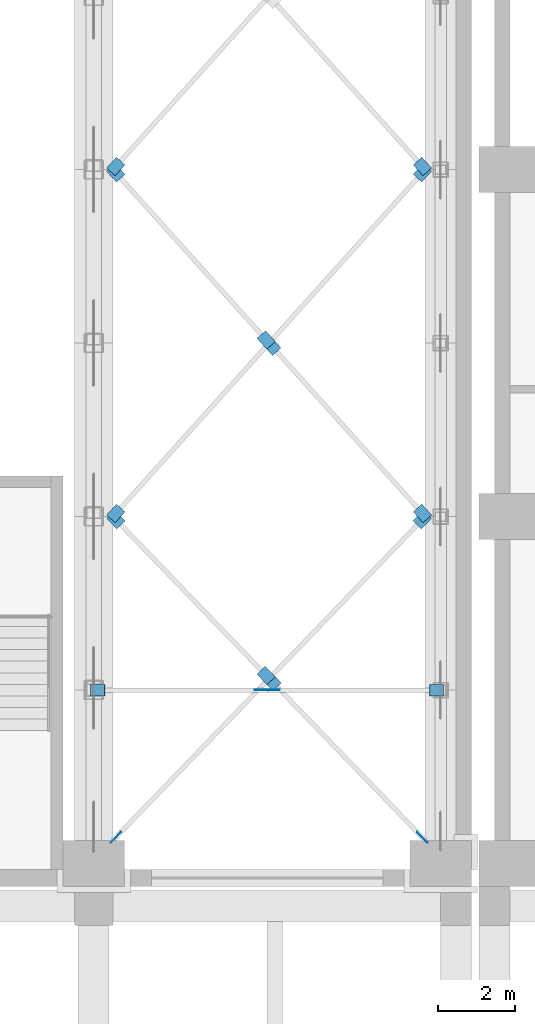
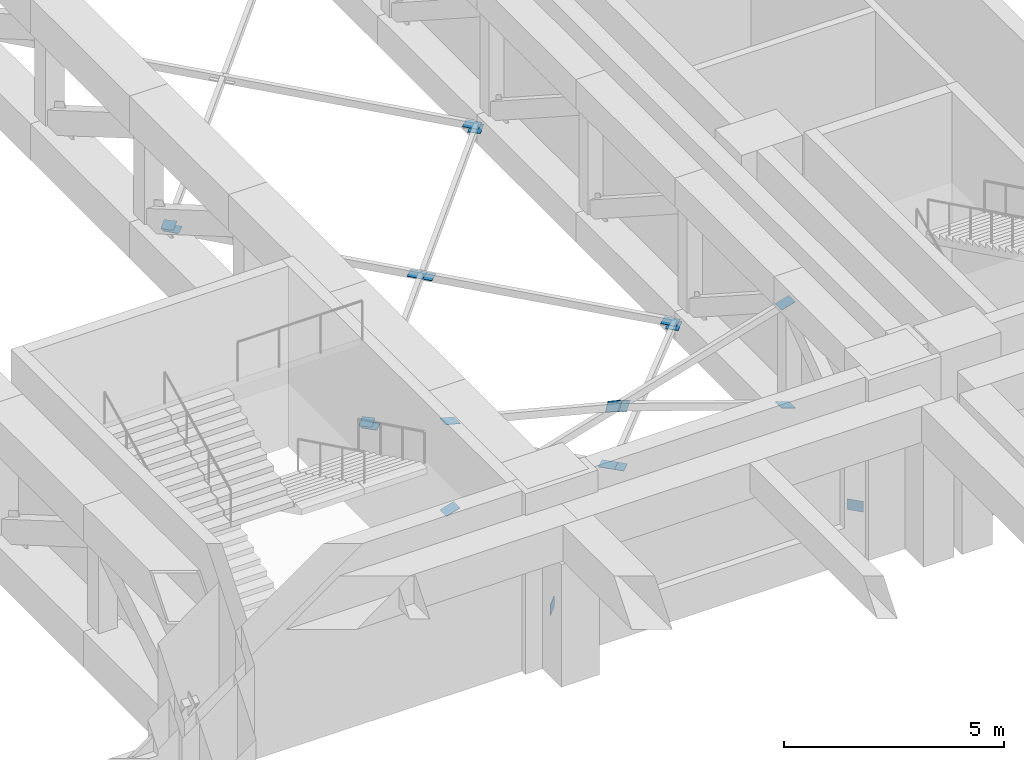
# One storey, part 61 of 76: 20 discrete accessories.
"""IFC4 building model written with IfcOpenShell, lengths in metres."""

from ifc_helpers import new_model, si_unit, direction, frame, origin, place, context, subcontext, project, spatial, polyline, outline, extrude, material, layer, layer_set, type_object, element, save


model = new_model("IFC4")

# Units and contexts
model_context = context("Model", 3, precision=1e-05, world=origin(), true_north=direction((0.0, 1.0)))
body_context = subcontext(model_context, "Body", "Model", "MODEL_VIEW")
ifc_project = project(units=[si_unit("LENGTHUNIT", "METRE"), si_unit("AREAUNIT", "SQUARE_METRE"), si_unit("VOLUMEUNIT", "CUBIC_METRE"), si_unit("PLANEANGLEUNIT", "RADIAN"), si_unit("MASSUNIT", "GRAM", prefix="KILO")], contexts=[model_context])

# Site, building, storey
site_placement = place(None, origin())
site = spatial("IfcSite", under=ifc_project, at=site_placement, CompositionType="ELEMENT")
building_placement = place(site_placement, origin())
building = spatial("IfcBuilding", under=site, at=building_placement, Name="Aravalli Gate Trade Fair Centre", CompositionType="ELEMENT")
storey_placement = place(building_placement, frame((0.0, 0.0, 10.0)))
storey = spatial("IfcBuildingStorey", under=building, at=storey_placement, Name="L02", CompositionType="ELEMENT", Elevation=10.0)

# Discrete accessories
ifc_material = material(Name="Steel E350", Category="steel")
ifc_layer = layer(ifc_material, 0.011962890625)
ifc_layer_set = layer_set([ifc_layer], Name="Steel E350")
discrete_accessory_type = type_object("IfcDiscreteAccessoryType", Name="Gusset plate 300 x 300 x 12", PredefinedType="USERDEFINED", material=ifc_layer_set)
discrete_accessory_1_placement = place(storey_placement, frame((96.703857421875, 46.820068359375, 0.35009765625), z_axis=(-0.719844295421, 0.694135570584, 0.0), x_axis=(-0.694135570584, -0.719844295421, 0.0)))
element("IfcDiscreteAccessory", 1, at=discrete_accessory_1_placement, inside=storey, type_object=discrete_accessory_type, Name="Gusset plate FT plan brace bay 11 cell 1A end A", ObjectType="GUSSET PLATE", PredefinedType="USERDEFINED", context=body_context, shape_type="SweptSolid", body=[
    extrude(outline(polyline([(0.0, 0.0), (0.3798564519292329, 0.0), (0.3798564519292329, 0.2998046875), (0.0, 0.2998046875), (0.0, 0.0)])), origin(), (0.0, 0.0, -1.0), 0.011962890625),
])
discrete_accessory_2_placement = place(storey_placement, frame((104.28369140625, 54.88818359375, 0.506103515625), z_axis=(0.0, 0.0, 1.0), x_axis=(0.694468388793, 0.71952321503, 0.0)))
element("IfcDiscreteAccessory", 2, at=discrete_accessory_2_placement, inside=storey, type_object=discrete_accessory_type, Name="Gusset plate FT plan brace bay 11 cell 1A end B", ObjectType="GUSSET PLATE", PredefinedType="USERDEFINED", context=body_context, shape_type="SweptSolid", body=[
    extrude(outline(polyline([(0.0, 0.0), (0.38002595925755556, 0.0), (0.38023989394673435, -0.29974257552203293), (0.0002078177882418597, -0.300087788315935), (0.0, 0.0)])), origin(), (0.0, 0.0, -1.0), 0.011962890625),
])
discrete_accessory_3_placement = place(storey_placement, frame((96.600341796875, 54.679931640625, 0.506103515625), z_axis=(0.0, 0.0, 1.0), x_axis=(-0.694147454011, 0.719832836213, 0.0)))
element("IfcDiscreteAccessory", 3, at=discrete_accessory_3_placement, inside=storey, type_object=discrete_accessory_type, Name="Gusset plate FT plan brace bay 11 cell 1B half 1 end A", ObjectType="GUSSET PLATE", PredefinedType="USERDEFINED", context=body_context, shape_type="SweptSolid", body=[
    extrude(outline(polyline([(0.0, 0.0), (0.3802016619092648, 0.0), (0.37995192549661894, -0.29991838155899125), (9.547361914707952e-05, -0.2999121107137271), (0.0, 0.0)])), origin(), (0.0, 0.0, -1.0), 0.011962890625),
])
discrete_accessory_4_placement = place(storey_placement, frame((100.23388671875, 50.911865234375, 0.506103515625), z_axis=(0.0, 0.0, 1.0), x_axis=(0.693814503452, -0.720153757749, 0.0)))
element("IfcDiscreteAccessory", 4, at=discrete_accessory_4_placement, inside=storey, type_object=discrete_accessory_type, Name="Gusset plate FT plan brace bay 11 cell 1B half 1 end B", ObjectType="GUSSET PLATE", PredefinedType="USERDEFINED", context=body_context, shape_type="SweptSolid", body=[
    extrude(outline(polyline([(0.0, 0.0), (0.3800322329503213, 2.7755575615628914e-17), (0.3797980693006782, 0.29991203449571685), (-0.00023416364964309877, 0.29991203449571685), (0.0, 0.0)])), origin(), (0.0, 0.0, -1.0), 0.011962890625),
])
discrete_accessory_5_placement = place(storey_placement, frame((100.650390625, 50.47998046875, 0.506103515625), z_axis=(0.0, 0.0, 1.0), x_axis=(-0.694468388793, 0.71952321503, 0.0)))
element("IfcDiscreteAccessory", 5, at=discrete_accessory_5_placement, inside=storey, type_object=discrete_accessory_type, Name="Gusset plate FT plan brace bay 11 cell 1B half 2 end A", ObjectType="GUSSET PLATE", PredefinedType="USERDEFINED", context=body_context, shape_type="SweptSolid", body=[
    extrude(outline(polyline([(0.0, 0.0), (0.38002595925755556, 0.0), (0.3799876894157963, -0.2999121234685155), (-3.8269841759253076e-05, -0.2999121234685155), (0.0, 0.0)])), origin(), (0.0, 0.0, -1.0), 0.011962890625),
])
discrete_accessory_6_placement = place(storey_placement, frame((104.387451171875, 46.811767578125, 0.35009765625), z_axis=(-0.720153757749, -0.693814503452, 0.0), x_axis=(0.693814503452, -0.720153757749, 0.0)))
element("IfcDiscreteAccessory", 6, at=discrete_accessory_6_placement, inside=storey, type_object=discrete_accessory_type, Name="Gusset plate FT plan brace bay 11 cell 1B half 2 end B", ObjectType="GUSSET PLATE", PredefinedType="USERDEFINED", context=body_context, shape_type="SweptSolid", body=[
    extrude(outline(polyline([(0.0, 0.0), (0.3800322329503213, 0.0), (0.3800322329503213, 0.2998046875), (0.0, 0.2998046875), (0.0, 0.0)])), origin(), (0.0, 0.0, -1.0), 0.011962890625),
])
discrete_accessory_7_placement = place(storey_placement, frame((96.812255859375, 55.12255859375, 0.506103515625), z_axis=(0.0, 0.0, 1.0), x_axis=(-0.668858230539, -0.743389983414, 0.0)))
element("IfcDiscreteAccessory", 7, at=discrete_accessory_7_placement, inside=storey, type_object=discrete_accessory_type, Name="Gusset plate FT plan brace bay 11 cell 2A end A", ObjectType="GUSSET PLATE", PredefinedType="USERDEFINED", context=body_context, shape_type="SweptSolid", body=[
    extrude(outline(polyline([(0.0, 0.0), (0.3799764718752623, 2.7755575615628914e-17), (0.3798608630772158, -0.3002755782651306), (6.588289712286532e-05, -0.30011228279869046), (0.0, 0.0)])), origin(), (0.0, 0.0, -1.0), 0.011962890625),
])
discrete_accessory_8_placement = place(storey_placement, frame((104.287841796875, 63.87744140625, 0.506103515625), z_axis=(0.0, 0.0, 1.0), x_axis=(0.668858230539, 0.743389983414, 0.0)))
element("IfcDiscreteAccessory", 8, at=discrete_accessory_8_placement, inside=storey, type_object=discrete_accessory_type, Name="Gusset plate FT plan brace bay 11 cell 2A end B", ObjectType="GUSSET PLATE", PredefinedType="USERDEFINED", context=body_context, shape_type="SweptSolid", body=[
    extrude(outline(polyline([(0.0, 0.0), (0.3799764718752623, 2.7755575615628914e-17), (0.37969756761077555, -0.3000940865699613), (-9.74125693173622e-05, -0.29993079110352105), (0.0, 0.0)])), origin(), (0.0, 0.0, -1.0), 0.011962890625),
])
discrete_accessory_9_placement = place(storey_placement, frame((96.589111328125, 63.6767578125, 0.506103515625), z_axis=(0.0, 0.0, 1.0), x_axis=(-0.669177794327, 0.743102334527, 0.0)))
element("IfcDiscreteAccessory", 9, at=discrete_accessory_9_placement, inside=storey, type_object=discrete_accessory_type, Name="Gusset plate FT plan brace bay 11 cell 2B half 1 end A", ObjectType="GUSSET PLATE", PredefinedType="USERDEFINED", context=body_context, shape_type="SweptSolid", body=[
    extrude(outline(polyline([(0.0, 0.0), (0.3797950152850963, 0.0), (0.37978151853225756, -0.3002756002170181), (-0.00019491822122905123, -0.3001122267320749), (0.0, 0.0)])), origin(), (0.0, 0.0, -1.0), 0.011962890625),
])
discrete_accessory_10_placement = place(storey_placement, frame((100.23779296875, 59.62255859375, 0.506103515625), z_axis=(0.0, 0.0, 1.0), x_axis=(0.668858230539, -0.743389983414, 0.0)))
element("IfcDiscreteAccessory", 10, at=discrete_accessory_10_placement, inside=storey, type_object=discrete_accessory_type, Name="Gusset plate FT plan brace bay 11 cell 2B half 1 end B", ObjectType="GUSSET PLATE", PredefinedType="USERDEFINED", context=body_context, shape_type="SweptSolid", body=[
    extrude(outline(polyline([(0.0, 0.0), (0.3799764718752623, -2.7755575615628914e-17), (0.3798608630772158, 0.3002755782651306), (-9.74125693173622e-05, 0.29993079110352105), (0.0, 0.0)])), origin(), (0.0, 0.0, -1.0), 0.011962890625),
])
discrete_accessory_11_placement = place(storey_placement, frame((100.63916015625, 59.1767578125, 0.506103515625), z_axis=(0.0, 0.0, 1.0), x_axis=(-0.669177794327, 0.743102334527, 0.0)))
element("IfcDiscreteAccessory", 11, at=discrete_accessory_11_placement, inside=storey, type_object=discrete_accessory_type, Name="Gusset plate FT plan brace bay 11 cell 2B half 2 end A", ObjectType="GUSSET PLATE", PredefinedType="USERDEFINED", context=body_context, shape_type="SweptSolid", body=[
    extrude(outline(polyline([(0.0, 0.0), (0.3797950152850963, 0.0), (0.3799448920172008, -0.30009417874862776), (-0.00019491822122905123, -0.3001122267320749), (0.0, 0.0)])), origin(), (0.0, 0.0, -1.0), 0.011962890625),
])
discrete_accessory_12_placement = place(storey_placement, frame((104.287841796875, 55.12255859375, 0.506103515625), z_axis=(0.0, 0.0, 1.0), x_axis=(0.668858230539, -0.743389983414, 0.0)))
element("IfcDiscreteAccessory", 12, at=discrete_accessory_12_placement, inside=storey, type_object=discrete_accessory_type, Name="Gusset plate FT plan brace bay 11 cell 2B half 2 end B", ObjectType="GUSSET PLATE", PredefinedType="USERDEFINED", context=body_context, shape_type="SweptSolid", body=[
    extrude(outline(polyline([(0.0, 0.0), (0.3799764718752623, -2.7755575615628914e-17), (0.37969756761077555, 0.3000940865699613), (-9.74125693173622e-05, 0.29993079110352105), (0.0, 0.0)])), origin(), (0.0, 0.0, -1.0), 0.011962890625),
])
discrete_accessory_13_placement = place(storey_placement, frame((96.812255859375, 64.12255859375, 0.506103515625), z_axis=(0.0, 0.0, 1.0), x_axis=(-0.668858230539, -0.743389983414, 0.0)))
element("IfcDiscreteAccessory", 13, at=discrete_accessory_13_placement, inside=storey, type_object=discrete_accessory_type, Name="Gusset plate FT plan brace bay 11 cell 3A end A", ObjectType="GUSSET PLATE", PredefinedType="USERDEFINED", context=body_context, shape_type="SweptSolid", body=[
    extrude(outline(polyline([(0.0, 0.0), (0.3799764718752623, 2.7755575615628914e-17), (0.3798608630772158, -0.3002755782651306), (6.588289712286532e-05, -0.30011228279869046), (0.0, 0.0)])), origin(), (0.0, 0.0, -1.0), 0.011962890625),
])
discrete_accessory_14_placement = place(storey_placement, frame((104.287841796875, 64.12255859375, 0.506103515625), z_axis=(0.0, 0.0, 1.0), x_axis=(0.668858230539, -0.743389983414, 0.0)))
element("IfcDiscreteAccessory", 14, at=discrete_accessory_14_placement, inside=storey, type_object=discrete_accessory_type, Name="Gusset plate FT plan brace bay 11 cell 3B half 2 end B", ObjectType="GUSSET PLATE", PredefinedType="USERDEFINED", context=body_context, shape_type="SweptSolid", body=[
    extrude(outline(polyline([(0.0, 0.0), (0.3799764718752623, -2.7755575615628914e-17), (0.37969756761077555, 0.3000940865699613), (-9.74125693173622e-05, 0.29993079110352105), (0.0, 0.0)])), origin(), (0.0, 0.0, -1.0), 0.011962890625),
])
discrete_accessory_15_placement = place(storey_placement, frame((96.28564453125, 50.35009765625, 1.092041015625), z_axis=(-0.287171062086, 0.0, 0.957879314476), x_axis=(-0.957879314476, 0.0, -0.287171062086)))
element("IfcDiscreteAccessory", 15, at=discrete_accessory_15_placement, inside=storey, type_object=discrete_accessory_type, Name="Gusset plate FT vertical brace bay 11 frame 1A end A", ObjectType="GUSSET PLATE", PredefinedType="USERDEFINED", context=body_context, shape_type="SweptSolid", body=[
    extrude(outline(polyline([(0.0, 0.0), (0.38002039126847675, 0.0), (0.38002039126847675, -0.2998046875), (0.0, -0.2998046875), (0.0, 0.0)])), origin(), (0.0, 0.0, -1.0), 0.011962890625),
])
discrete_accessory_16_placement = place(storey_placement, frame((104.7109375, 50.35009765625, 3.619384765625), z_axis=(-0.287760359434, 0.0, 0.957702446242), x_axis=(0.957702446242, 0.0, 0.287760359434)))
element("IfcDiscreteAccessory", 16, at=discrete_accessory_16_placement, inside=storey, type_object=discrete_accessory_type, Name="Gusset plate FT vertical brace bay 11 frame 1A end B", ObjectType="GUSSET PLATE", PredefinedType="USERDEFINED", context=body_context, shape_type="SweptSolid", body=[
    extrude(outline(polyline([(0.0, 0.0), (0.3800905733334098, 0.0), (0.3800905733334098, 0.2998046875), (0.0, 0.2998046875), (0.0, 0.0)])), origin(), (0.0, 0.0, -1.0), 0.011962890625),
])
discrete_accessory_17_placement = place(storey_placement, frame((96.2919921875, 50.35009765625, 3.431396484375), z_axis=(0.248127890798, 0.0, 0.968727283506), x_axis=(-0.968727283506, 0.0, 0.248127890798)))
element("IfcDiscreteAccessory", 17, at=discrete_accessory_17_placement, inside=storey, type_object=discrete_accessory_type, Name="Gusset plate FT vertical brace bay 11 frame 1B half 1 end A", ObjectType="GUSSET PLATE", PredefinedType="USERDEFINED", context=body_context, shape_type="SweptSolid", body=[
    extrude(outline(polyline([(0.0, 0.0), (0.37979721242455194, 0.0), (0.37979721242455194, -0.2998046875), (0.0, -0.2998046875), (0.0, 0.0)])), origin(), (0.0, 0.0, -1.0), 0.011962890625),
])
discrete_accessory_18_placement = place(storey_placement, frame((100.172119140625, 50.493896484375, 2.279052734375), z_axis=(0.0, -1.0, 0.0), x_axis=(0.968766823256, 0.0, -0.247973470674)))
element("IfcDiscreteAccessory", 18, at=discrete_accessory_18_placement, inside=storey, type_object=discrete_accessory_type, Name="Gusset plate FT vertical brace bay 11 frame 1B half 1 end B", ObjectType="GUSSET PLATE", PredefinedType="USERDEFINED", context=body_context, shape_type="SweptSolid", body=[
    extrude(outline(polyline([(0.0, 0.0), (0.3800337229371336, 0.0), (0.37983077144708355, 0.30009404823804164), (9.41042457728164e-05, 0.2999180732984465), (0.0, 0.0)])), origin(), (0.0, 0.0, -1.0), 0.011962890625),
])
discrete_accessory_19_placement = place(storey_placement, frame((100.73486328125, 50.506103515625, 2.110595703125), z_axis=(0.0, 1.0, 0.0), x_axis=(-0.945686599305, 0.0, 0.325079768511)))
element("IfcDiscreteAccessory", 19, at=discrete_accessory_19_placement, inside=storey, type_object=discrete_accessory_type, Name="Gusset plate FT vertical brace bay 11 frame 1B half 2 end A", ObjectType="GUSSET PLATE", PredefinedType="USERDEFINED", context=body_context, shape_type="SweptSolid", body=[
    extrude(outline(polyline([(0.0, 0.0), (0.3800149016219126, 1.3877787807814457e-17), (0.37988503133087037, 0.30002923237223494), (-0.00020923546890137812, 0.2997983518548265), (0.0, 0.0)])), origin(), (0.0, 0.0, -1.0), 0.011962890625),
])
discrete_accessory_20_placement = place(storey_placement, frame((104.71826171875, 50.35009765625, 0.9033203125), z_axis=(0.325654146488, 0.0, 0.945488961795), x_axis=(0.945488961795, 0.0, -0.325654146488)))
element("IfcDiscreteAccessory", 20, at=discrete_accessory_20_placement, inside=storey, type_object=discrete_accessory_type, Name="Gusset plate FT vertical brace bay 11 frame 1B half 2 end B", ObjectType="GUSSET PLATE", PredefinedType="USERDEFINED", context=body_context, shape_type="SweptSolid", body=[
    extrude(outline(polyline([(0.0, 0.0), (0.38009433692159816, 0.0), (0.38009433692159816, 0.2998046875), (0.0, 0.2998046875), (0.0, 0.0)])), origin(), (0.0, 0.0, -1.0), 0.011962890625),
])

save(model, "model.ifc")
